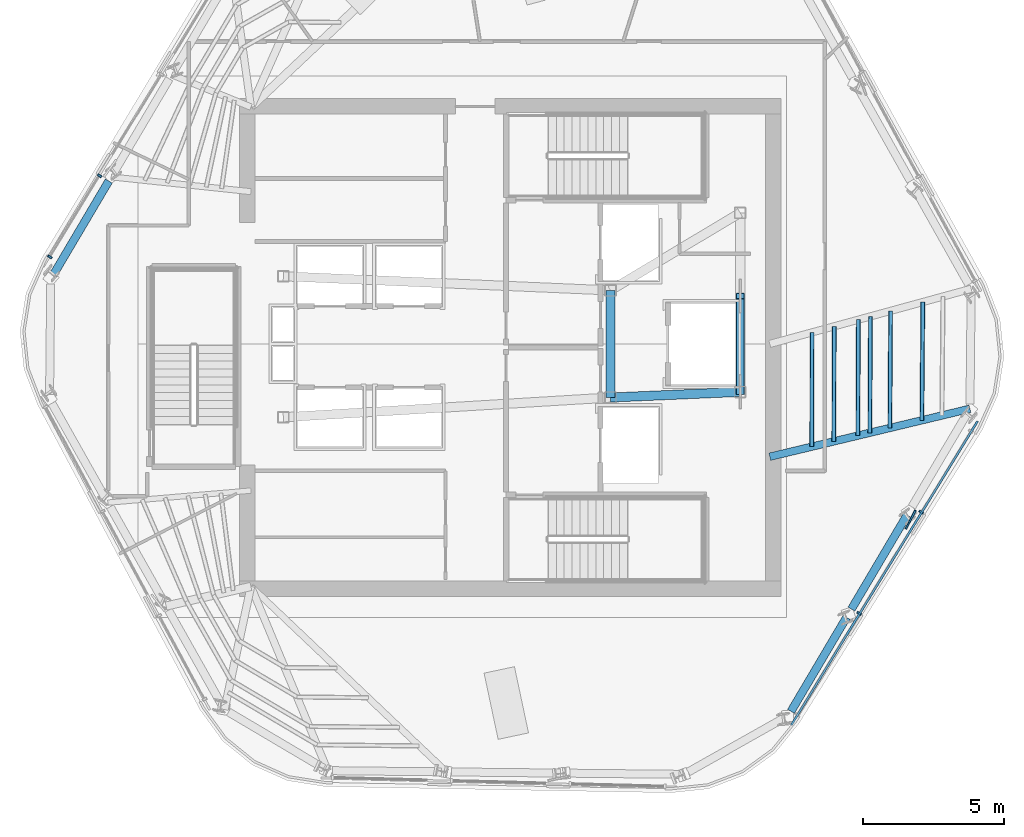
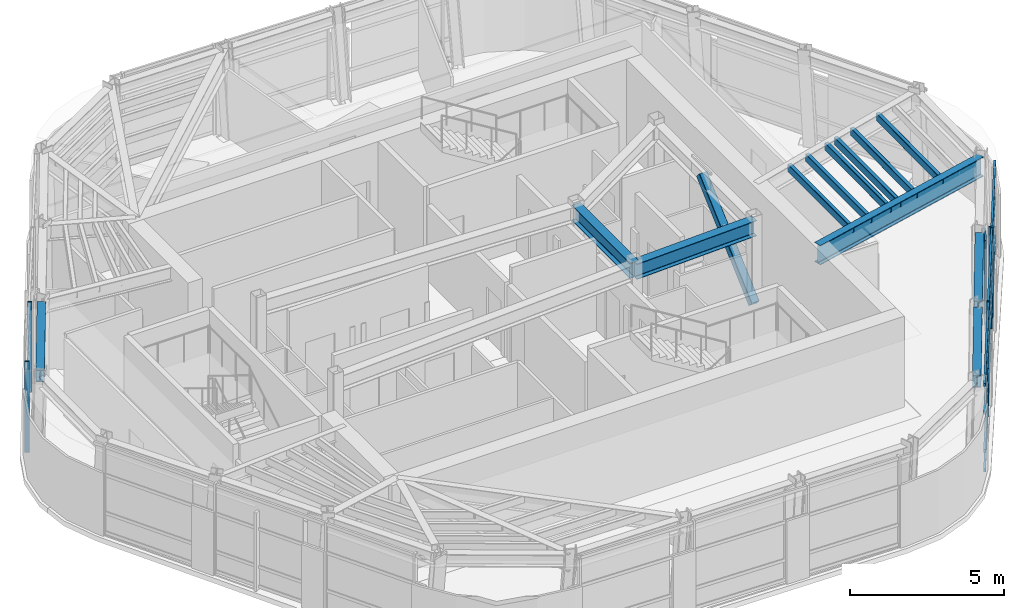
# One storey, part 3 of 13: 16 members, 6 beams, 2 elements without a shape of their own.
"""IFC4 building model written with IfcOpenShell, lengths in metres."""

from ifc_helpers import new_model, si_unit, direction, frame, origin, origin_2d, place, context, subcontext, project, spatial, rectangle, hollow_rectangle, i_section, extrude, material, layer, layer_set, material_profile, profile_set, type_object, element, aggregate, save


model = new_model("IFC4")

# Units and contexts
model_context = context("Model", 3, precision=1e-05, world=origin(), true_north=direction((0.0, 1.0)))
body_context = subcontext(model_context, "Body", "Model", "MODEL_VIEW")
ifc_project = project(units=[si_unit("LENGTHUNIT", "METRE"), si_unit("AREAUNIT", "SQUARE_METRE"), si_unit("VOLUMEUNIT", "CUBIC_METRE"), si_unit("PLANEANGLEUNIT", "RADIAN"), si_unit("MASSUNIT", "GRAM", prefix="KILO")], contexts=[model_context])

# Site, building, storey
site_placement = place(None, origin())
site = spatial("IfcSite", under=ifc_project, at=site_placement, CompositionType="ELEMENT")
building_placement = place(site_placement, origin())
building = spatial("IfcBuilding", under=site, at=building_placement, Name="Valkerne Bourse Tower", CompositionType="ELEMENT")
storey_placement = place(building_placement, frame((0.0, 0.0, 277.39990234375)))
storey = spatial("IfcBuildingStorey", under=building, at=storey_placement, Name="L70", CompositionType="ELEMENT", Elevation=277.39990234375)

# Beams
ifc_material_1 = material(Name="Steel ASTM A992", Category="steel")
ifc_material_profile_1 = material_profile(ifc_material_1, i_section(OverallWidth=0.284423828125, OverallDepth=0.47509765625, WebThickness=0.014892578125, FlangeThickness=0.02392578125, FilletRadius=0.017822265625, at=origin_2d()), Name="W18X106")
ifc_profile_set_1 = profile_set([ifc_material_profile_1], Name="Steel ASTM A992")
beam_type_1 = type_object("IfcBeamType", Name="BM-W18X106", PredefinedType="BEAM", material=ifc_profile_set_1)
beam_1_placement = place(storey_placement, frame((32.559326171875, 32.77783203125, 3.362548828125), z_axis=(-0.50905214555, -0.860735681328, 0.0), x_axis=(0.860735681328, -0.50905214555, 0.0)))
element("IfcBeam", 1, at=beam_1_placement, inside=storey, type_object=beam_type_1, Name="L70 Hexagonal Spandrel Ring Beam 06", PredefinedType="BEAM", context=body_context, shape_type="SweptSolid", body=[
    extrude(i_section(OverallWidth=0.284423828125, OverallDepth=0.47509765625, WebThickness=0.014892578125, FlangeThickness=0.02392578125, FilletRadius=0.017822265625, at=origin_2d()), origin(), (0.0, 0.0, 1.0), 3.872314453125),
])
for number, where, z_axis, x_axis, name in (
    (2, (56.752685546875, 13.97119140625, 3.362548828125), (0.509005432949, 0.860763306158, 0.0), (-0.860763306158, 0.509005432949, 0.0), "L70 Hexagonal Spandrel Ring Beam 16"),
    (3, (58.896728515625, 17.5966796875, 3.362548828125), (0.509005432949, 0.860763306158, 0.0), (-0.860763306158, 0.509005432949, 0.0), "L70 Hexagonal Spandrel Ring Beam 17"),
):
    element("IfcBeam", number, at=place(storey_placement, frame(where, z_axis=z_axis, x_axis=x_axis)), inside=storey, type_object=beam_type_1, Name=name, PredefinedType="BEAM", context=body_context, shape_type="SweptSolid", body=[
        extrude(i_section(OverallWidth=0.284423828125, OverallDepth=0.47509765625, WebThickness=0.014892578125, FlangeThickness=0.02392578125, FilletRadius=0.017822265625, at=origin_2d()), origin(), (0.0, 0.0, 1.0), 3.8720703125),
    ])
ifc_material_profile_2 = material_profile(ifc_material_1, i_section(OverallWidth=0.3251953125, OverallDepth=0.612060546875, WebThickness=0.0126953125, FlangeThickness=0.01904296875, FilletRadius=0.020263671875, at=origin_2d()), Name="W24X104")
ifc_profile_set_2 = profile_set([ifc_material_profile_2], Name="Steel ASTM A992")
beam_type_2 = type_object("IfcBeamType", Name="BM-W24X104", PredefinedType="BEAM", material=ifc_profile_set_2)
beam_2_placement = place(storey_placement, frame((50.35009765625, 25.10009765625, 3.2939453125), z_axis=(0.0, 1.0, 0.0), x_axis=(-1.0, 0.0, 0.0)))
element("IfcBeam", 4, at=beam_2_placement, inside=storey, type_object=beam_type_2, Name="L70 Core Frame Girder CG-CE", PredefinedType="BEAM", context=body_context, shape_type="SweptSolid", body=[
    extrude(i_section(OverallWidth=0.3251953125, OverallDepth=0.612060546875, WebThickness=0.0126953125, FlangeThickness=0.01904296875, FilletRadius=0.020263671875, at=origin_2d()), origin(), (0.0, 0.0, 1.0), 3.7998046875),
])
beam_3_placement = place(storey_placement, frame((50.35009765625, 25.10009765625, 3.2939453125), z_axis=(0.999056558506, 0.043428019819, 0.0), x_axis=(-0.043428019819, 0.999056558506, 0.0)))
element("IfcBeam", 5, at=beam_3_placement, inside=storey, type_object=beam_type_2, Name="L70 Core Frame Girder CG-SE", PredefinedType="BEAM", context=body_context, shape_type="SweptSolid", body=[
    extrude(i_section(OverallWidth=0.3251953125, OverallDepth=0.612060546875, WebThickness=0.0126953125, FlangeThickness=0.01904296875, FilletRadius=0.020263671875, at=origin_2d()), origin(), (0.0, 0.0, 1.0), 4.604248046875),
])
ifc_material_profile_3 = material_profile(ifc_material_1, i_section(OverallWidth=0.26806640625, OverallDepth=0.76953125, WebThickness=0.015625, FlangeThickness=0.025390625, FilletRadius=0.025390625, at=origin_2d()), Name="W30X132")
ifc_profile_set_3 = profile_set([ifc_material_profile_3], Name="Steel ASTM A992")
beam_type_3 = type_object("IfcBeamType", Name="BM-W30X132", PredefinedType="BEAM", material=ifc_profile_set_3)
beam_4_placement = place(storey_placement, frame((63.098388671875, 24.701416015625, 3.21533203125), z_axis=(-0.972455570021, -0.233088318744, 0.0), x_axis=(0.233088318744, -0.972455570021, 0.0)))
element("IfcBeam", 6, at=beam_4_placement, inside=storey, type_object=beam_type_3, Name="L70 Radial Composite Floor Beam 19", PredefinedType="BEAM", context=body_context, shape_type="SweptSolid", body=[
    extrude(i_section(OverallWidth=0.26806640625, OverallDepth=0.76953125, WebThickness=0.015625, FlangeThickness=0.025390625, FilletRadius=0.025390625, at=origin_2d()), origin(), (0.0, 0.0, 1.0), 7.299560546875),
])

# Curtain wall, members
ifc_material_2 = material(Name="Aluminium AA 6063-T6", Category="aluminium")
ifc_layer = layer(ifc_material_2, 0.2451171875)
ifc_layer_set = layer_set([ifc_layer], Name="Aluminium AA 6063-T6")
curtain_wall_type = type_object("IfcCurtainWallType", Name="CW-05", PredefinedType="NOTDEFINED", material=ifc_layer_set)
curtain_wall_1_placement = place(storey_placement, origin())
curtain_wall_1 = element("IfcCurtainWall", 7, at=curtain_wall_1_placement, inside=storey, type_object=curtain_wall_type, Name="L70 Hexagonal Stick Curtain Wall Face 2", PredefinedType="NOTDEFINED")
ifc_material_profile_4 = material_profile(ifc_material_2, rectangle(XDim=0.074951171875, YDim=0.159912109375, at=origin_2d()), Name="CWM-75X160")
ifc_profile_set_4 = profile_set([ifc_material_profile_4], Name="Aluminium AA 6063-T6")
member_type_1 = type_object("IfcMemberType", Name="CW-MUL-160X75", PredefinedType="MULLION", material=ifc_profile_set_4)
member_1_placement = place(storey_placement, frame((32.231201171875, 32.965087890625, 0.0), z_axis=(0.0, 0.0, 1.0), x_axis=(-0.522496364011, -0.852641512944, 0.0)))
member_1 = element("IfcMember", 8, at=member_1_placement, type_object=member_type_1, Name="CW-L70-F2 Jamb Mullion 02A", PredefinedType="MULLION", context=body_context, shape_type="SweptSolid", body=[
    extrude(rectangle(XDim=0.074951171875, YDim=0.159912109375, at=origin_2d()), origin(), (0.0, 0.0, 1.0), 3.60009765625),
])
member_2_placement = place(storey_placement, frame((30.469482421875, 30.090087890625, 0.0), z_axis=(0.0, 0.0, 1.0), x_axis=(-0.522496364011, -0.852641512944, 0.0)))
member_2 = element("IfcMember", 9, at=member_2_placement, type_object=member_type_1, Name="CW-L70-F2 Jamb Mullion 02B", PredefinedType="MULLION", context=body_context, shape_type="SweptSolid", body=[
    extrude(rectangle(XDim=0.074951171875, YDim=0.159912109375, at=origin_2d()), origin(), (0.0, 0.0, 1.0), 3.60009765625),
])
aggregate(curtain_wall_1, [member_1, member_2])

curtain_wall_2_placement = place(storey_placement, origin())
curtain_wall_2 = element("IfcCurtainWall", 10, at=curtain_wall_2_placement, inside=storey, type_object=curtain_wall_type, Name="L70 Hexagonal Stick Curtain Wall Face 5", PredefinedType="NOTDEFINED")
member_3_placement = place(storey_placement, frame((59.16796875, 17.443603515625, 0.0), z_axis=(0.0, 0.0, 1.0), x_axis=(0.522489680728, 0.852645608405, 0.0)))
member_3 = element("IfcMember", 11, at=member_3_placement, type_object=member_type_1, Name="CW-L70-F5 Jamb Mullion 01A", PredefinedType="MULLION", context=body_context, shape_type="SweptSolid", body=[
    extrude(rectangle(XDim=0.074951171875, YDim=0.159912109375, at=origin_2d()), origin(), (0.0, 0.0, 1.0), 3.60009765625),
])
member_4_placement = place(storey_placement, frame((61.36865234375, 21.034912109375, 0.0), z_axis=(0.0, 0.0, 1.0), x_axis=(0.522496364011, 0.852641512944, 0.0)))
member_4 = element("IfcMember", 12, at=member_4_placement, type_object=member_type_1, Name="CW-L70-F5 Jamb Mullion 02A", PredefinedType="MULLION", context=body_context, shape_type="SweptSolid", body=[
    extrude(rectangle(XDim=0.074951171875, YDim=0.159912109375, at=origin_2d()), origin(), (0.0, 0.0, 1.0), 3.60009765625),
])
ifc_material_profile_5 = material_profile(ifc_material_2, rectangle(XDim=0.074951171875, YDim=0.1201171875, at=origin_2d()), Name="CWT-75X120")
ifc_profile_set_5 = profile_set([ifc_material_profile_5], Name="Aluminium AA 6063-T6")
member_type_2 = type_object("IfcMemberType", Name="CW-TRN-120X75", PredefinedType="USERDEFINED", material=ifc_profile_set_5)
member_5_placement = place(storey_placement, frame((56.764892578125, 13.483642578125, 0.1201171875), z_axis=(0.522499986477, 0.852639293096, 0.0), x_axis=(-0.852639293096, 0.522499986477, 0.0)))
member_5 = element("IfcMember", 13, at=member_5_placement, type_object=member_type_2, Name="CW-L70-F5 Continuous Face Transom 1", ObjectType="TRANSOM", PredefinedType="USERDEFINED", context=body_context, shape_type="SweptSolid", body=[
    extrude(rectangle(XDim=0.074951171875, YDim=0.1201171875, at=origin_2d()), origin(), (0.0, 0.0, 1.0), 12.635986328125),
])
member_6_placement = place(storey_placement, frame((56.764892578125, 13.483642578125, 0.900146484375), z_axis=(0.522499986477, 0.852639293096, 0.0), x_axis=(-0.852639293096, 0.522499986477, 0.0)))
member_6 = element("IfcMember", 14, at=member_6_placement, type_object=member_type_2, Name="CW-L70-F5 Continuous Face Transom 2", ObjectType="TRANSOM", PredefinedType="USERDEFINED", context=body_context, shape_type="SweptSolid", body=[
    extrude(rectangle(XDim=0.074951171875, YDim=0.1201171875, at=origin_2d()), origin(), (0.0, 0.0, 1.0), 12.635986328125),
])
member_7_placement = place(storey_placement, frame((56.764892578125, 13.483642578125, 2.400146484375), z_axis=(0.522499986477, 0.852639293096, 0.0), x_axis=(-0.852639293096, 0.522499986477, 0.0)))
member_7 = element("IfcMember", 15, at=member_7_placement, type_object=member_type_2, Name="CW-L70-F5 Continuous Face Transom 3", ObjectType="TRANSOM", PredefinedType="USERDEFINED", context=body_context, shape_type="SweptSolid", body=[
    extrude(rectangle(XDim=0.074951171875, YDim=0.1201171875, at=origin_2d()), origin(), (0.0, 0.0, 1.0), 12.635986328125),
])
member_8_placement = place(storey_placement, frame((56.764892578125, 13.483642578125, 3.52001953125), z_axis=(0.522499986477, 0.852639293096, 0.0), x_axis=(-0.852639293096, 0.522499986477, 0.0)))
member_8 = element("IfcMember", 16, at=member_8_placement, type_object=member_type_2, Name="CW-L70-F5 Continuous Face Transom 4", ObjectType="TRANSOM", PredefinedType="USERDEFINED", context=body_context, shape_type="SweptSolid", body=[
    extrude(rectangle(XDim=0.074951171875, YDim=0.1201171875, at=origin_2d()), origin(), (0.0, 0.0, 1.0), 12.635986328125),
])
aggregate(curtain_wall_2, [member_5, member_6, member_7, member_8, member_3, member_4])

# Members
ifc_material_3 = material(Name="Bronze Anodised Aluminium AA 6063-T6", Category="aluminium")
ifc_material_profile_6 = material_profile(ifc_material_3, rectangle(XDim=0.06494140625, YDim=0.75, at=origin_2d()), Name="FIN-65X750")
ifc_profile_set_6 = profile_set([ifc_material_profile_6], Name="Bronze Anodised Aluminium AA 6063-T6")
member_type_3 = type_object("IfcMemberType", Name="FIN-SOLAR-650", PredefinedType="USERDEFINED", material=ifc_profile_set_6)
member_9_placement = place(storey_placement, frame((60.995849609375, 20.770751953125, 0.004150390625), z_axis=(0.0, 0.0, 1.0), x_axis=(0.886819984535, -0.462115045231, 0.0)))
element("IfcMember", 17, at=member_9_placement, inside=storey, type_object=member_type_3, Name="L70 Bronze Anodised Solar Fin F5-02", ObjectType="SOLAR_FIN", PredefinedType="USERDEFINED", context=body_context, shape_type="SweptSolid", body=[
    extrude(rectangle(XDim=0.06494140625, YDim=0.75, at=origin_2d()), origin(), (0.0, 0.0, 1.0), 3.592041015625),
])
ifc_material_4 = material(Name="Steel ASTM A500 Grade C", Category="steel")
ifc_material_profile_7 = material_profile(ifc_material_4, hollow_rectangle(XDim=0.14990234375, YDim=0.300048828125, WallThickness=0.012451171875, OuterFilletRadius=0.02490234375, at=origin_2d()), Name="HSS300X150X12.5")
ifc_profile_set_7 = profile_set([ifc_material_profile_7], Name="Steel ASTM A500 Grade C")
member_type_4 = type_object("IfcMemberType", Name="MBR-HSS300X150X12.5", PredefinedType="PURLIN", material=ifc_profile_set_7)
member_10_placement = place(storey_placement, frame((58.271484375, 23.54443359375, 3.440185546875), z_axis=(0.003469086129, 0.999993982703, 0.0), x_axis=(-0.999993982703, 0.003469086129, 0.0)))
element("IfcMember", 18, at=member_10_placement, inside=storey, type_object=member_type_4, Name="L70 Secondary Composite Floor Purlin I-19", PredefinedType="PURLIN", context=body_context, shape_type="SweptSolid", body=[
    extrude(hollow_rectangle(XDim=0.14990234375, YDim=0.300048828125, WallThickness=0.012451171875, OuterFilletRadius=0.02490234375, at=origin_2d()), origin(), (0.0, 0.0, 1.0), 4.081787109375),
])
member_11_placement = place(storey_placement, frame((59.123291015625, 23.74853515625, 3.440185546875), z_axis=(0.004749130177, 0.999988722818, 0.0), x_axis=(-0.999988722818, 0.004749130177, 0.0)))
element("IfcMember", 19, at=member_11_placement, inside=storey, type_object=member_type_4, Name="L70 Secondary Composite Floor Purlin K-19", PredefinedType="PURLIN", context=body_context, shape_type="SweptSolid", body=[
    extrude(hollow_rectangle(XDim=0.14990234375, YDim=0.300048828125, WallThickness=0.012451171875, OuterFilletRadius=0.02490234375, at=origin_2d()), origin(), (0.0, 0.0, 1.0), 4.112548828125),
])
member_12_placement = place(storey_placement, frame((59.549072265625, 23.8505859375, 3.440185546875), z_axis=(0.005381989712, 0.999985516988, 0.0), x_axis=(-0.999985516988, 0.005381989712, 0.0)))
element("IfcMember", 20, at=member_12_placement, inside=storey, type_object=member_type_4, Name="L70 Secondary Composite Floor Purlin M-19", PredefinedType="PURLIN", context=body_context, shape_type="SweptSolid", body=[
    extrude(hollow_rectangle(XDim=0.14990234375, YDim=0.300048828125, WallThickness=0.012451171875, OuterFilletRadius=0.02490234375, at=origin_2d()), origin(), (0.0, 0.0, 1.0), 4.1279296875),
])
member_13_placement = place(storey_placement, frame((61.394775390625, 24.293212890625, 3.440185546875), z_axis=(0.00809100938, 0.999967267248, 0.0), x_axis=(-0.999967267248, 0.00809100938, 0.0)))
element("IfcMember", 21, at=member_13_placement, inside=storey, type_object=member_type_4, Name="L70 Secondary Composite Floor Purlin O-19", PredefinedType="PURLIN", context=body_context, shape_type="SweptSolid", body=[
    extrude(hollow_rectangle(XDim=0.14990234375, YDim=0.300048828125, WallThickness=0.012451171875, OuterFilletRadius=0.02490234375, at=origin_2d()), origin(), (0.0, 0.0, 1.0), 4.1943359375),
])
member_14_placement = place(storey_placement, frame((60.259033203125, 24.020751953125, 3.440185546875), z_axis=(0.006407110433, 0.999979474257, 0.0), x_axis=(-0.999979474257, 0.006407110433, 0.0)))
element("IfcMember", 22, at=member_14_placement, inside=storey, type_object=member_type_4, Name="L70 Secondary Composite Floor Purlin Z-19", PredefinedType="PURLIN", context=body_context, shape_type="SweptSolid", body=[
    extrude(hollow_rectangle(XDim=0.14990234375, YDim=0.300048828125, WallThickness=0.012451171875, OuterFilletRadius=0.02490234375, at=origin_2d()), origin(), (0.0, 0.0, 1.0), 4.1533203125),
])
member_15_placement = place(storey_placement, frame((57.490478515625, 23.357421875, 3.440185546875), z_axis=(0.002348966597, 0.999997241174, 0.0), x_axis=(-0.999997241174, 0.002348966597, 0.0)))
element("IfcMember", 23, at=member_15_placement, inside=storey, type_object=member_type_4, Name="L70 Secondary Composite Floor Purlin S-19", PredefinedType="PURLIN", context=body_context, shape_type="SweptSolid", body=[
    extrude(hollow_rectangle(XDim=0.14990234375, YDim=0.300048828125, WallThickness=0.012451171875, OuterFilletRadius=0.02490234375, at=origin_2d()), origin(), (0.0, 0.0, 1.0), 4.053466796875),
])
ifc_material_profile_8 = material_profile(ifc_material_4, hollow_rectangle(XDim=0.300048828125, YDim=0.300048828125, WallThickness=0.012451171875, OuterFilletRadius=0.02490234375, at=origin_2d()), Name="HSS300X300X12.5")
ifc_profile_set_8 = profile_set([ifc_material_profile_8], Name="Steel ASTM A500 Grade C")
member_type_5 = type_object("IfcMemberType", Name="MBR-HSS300X300X12.5", PredefinedType="STRUT", material=ifc_profile_set_8)
member_16_placement = place(storey_placement, frame((54.949951171875, 25.300048828125, 0.22021484375), z_axis=(0.0, 0.741793158493, 0.670628742311), x_axis=(-1.0, 0.0, 0.0)))
element("IfcMember", 24, at=member_16_placement, inside=storey, type_object=member_type_5, Name="L70 Core Service Pier Lateral Brace", PredefinedType="STRUT", context=body_context, shape_type="SweptSolid", body=[
    extrude(hollow_rectangle(XDim=0.300048828125, YDim=0.300048828125, WallThickness=0.012451171875, OuterFilletRadius=0.02490234375, at=origin_2d()), origin(), (0.0, 0.0, 1.0), 4.583251953125),
])

save(model, "model.ifc")
